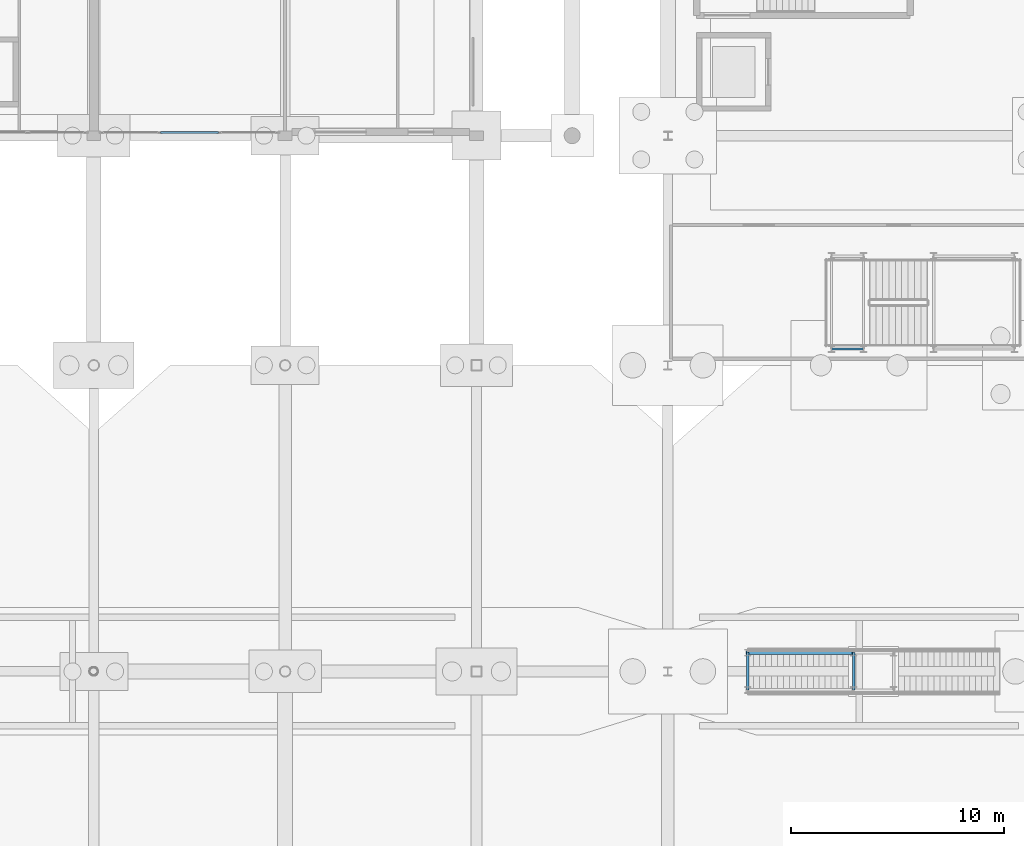
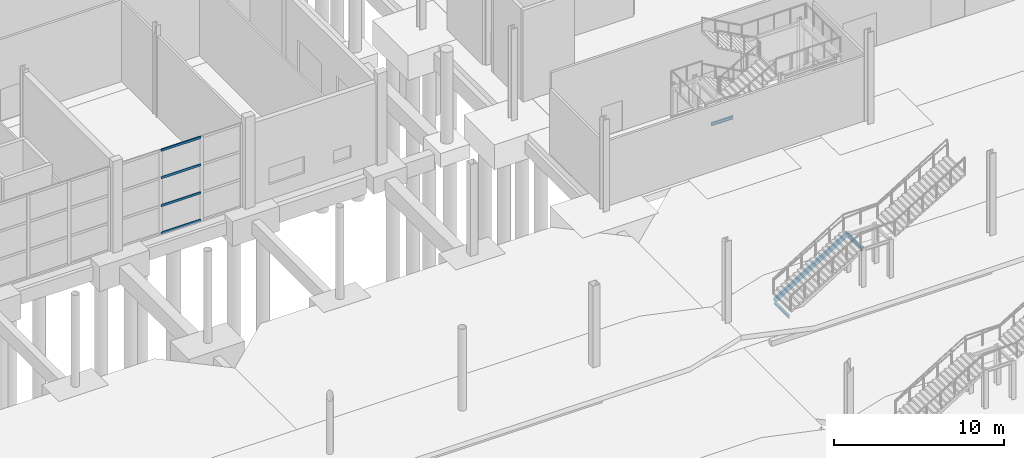
# One storey, part 50 of 115: 5 members, 3 beams, 1 element without a shape of its own.
"""IFC4 building model written with IfcOpenShell, lengths in metres."""

from ifc_helpers import new_model, si_unit, direction, frame, origin, origin_2d, place, context, subcontext, project, spatial, hollow_rectangle, i_section, extrude, material, layer, layer_set, material_profile, profile_set, type_object, element, aggregate, save


model = new_model("IFC4")

# Units and contexts
model_context = context("Model", 3, precision=1e-05, world=origin(), true_north=direction((0.0, 1.0)))
body_context = subcontext(model_context, "Body", "Model", "MODEL_VIEW")
ifc_project = project(units=[si_unit("LENGTHUNIT", "METRE"), si_unit("AREAUNIT", "SQUARE_METRE"), si_unit("VOLUMEUNIT", "CUBIC_METRE"), si_unit("PLANEANGLEUNIT", "RADIAN"), si_unit("MASSUNIT", "GRAM", prefix="KILO")], contexts=[model_context])

# Site, building, storey
site_placement = place(None, origin())
site = spatial("IfcSite", under=ifc_project, at=site_placement, CompositionType="ELEMENT")
building_placement = place(site_placement, origin())
building = spatial("IfcBuilding", under=site, at=building_placement, Name="Tamarisk Ironworks Central Station", CompositionType="ELEMENT")
storey_placement = place(building_placement, origin())
storey = spatial("IfcBuildingStorey", under=building, at=storey_placement, Name="L00", CompositionType="ELEMENT", Elevation=0.0)

# Beams
ifc_material_1 = material(Name="Structural steel S355J2", Category="steel")
ifc_material_profile_1 = material_profile(ifc_material_1, i_section(OverallWidth=0.110107421875, OverallDepth=0.219970703125, WebThickness=0.005859375, FlangeThickness=0.00927734375, at=origin_2d()), Name="IPE 220")
ifc_profile_set_1 = profile_set([ifc_material_profile_1], Name="Structural steel S355J2")
beam_type = type_object("IfcBeamType", Name="BM-J02", PredefinedType="JOIST", material=ifc_profile_set_1)
beam_placement = place(storey_placement, frame((61.699951171875, 79.965087890625, 2.97998046875), z_axis=(1.0, 0.0, 0.0), x_axis=(0.0, 1.0, 0.0)))
element("IfcBeam", 1, at=beam_placement, inside=storey, type_object=beam_type, Name="ST-TH1 landing frame beam Z1-1", PredefinedType="JOIST", context=body_context, shape_type="SweptSolid", body=[
    extrude(i_section(OverallWidth=0.110107421875, OverallDepth=0.219970703125, WebThickness=0.005859375, FlangeThickness=0.00927734375, at=origin_2d()), origin(), (0.0, 0.0, 1.0), 1.5),
])
for number, where, z_axis, x_axis, name in (
    (2, (62.739990234375, 63.919921875, 3.330078125), (0.0, 1.0, 0.0), (-1.0, 0.0, 0.0), "ST-P4A mid-landing tie beam 3"),
    (3, (57.760009765625, 63.919921875, 0.239990234375), (0.0, 1.0, 0.0), (-1.0, 0.0, 0.0), "ST-P4A bottom stringer tie beam"),
):
    element("IfcBeam", number, at=place(storey_placement, frame(where, z_axis=z_axis, x_axis=x_axis)), inside=storey, type_object=beam_type, Name=name, PredefinedType="JOIST", context=body_context, shape_type="SweptSolid", body=[
        extrude(i_section(OverallWidth=0.110107421875, OverallDepth=0.219970703125, WebThickness=0.005859375, FlangeThickness=0.00927734375, at=origin_2d()), origin(), (0.0, 0.0, 1.0), 1.760009765625),
    ])

# Curtain wall, members
ifc_material_2 = material(Name="Anodized aluminium alloy 6063-T6", Category="aluminium")
ifc_layer = layer(ifc_material_2, 0.179931640625)
ifc_layer_set = layer_set([ifc_layer], Name="Anodized aluminium alloy 6063-T6")
curtain_wall_type = type_object("IfcCurtainWallType", Name="CW-09", PredefinedType="USERDEFINED", material=ifc_layer_set)
curtain_wall_placement = place(storey_placement, origin())
curtain_wall = element("IfcCurtainWall", 4, at=curtain_wall_placement, inside=storey, type_object=curtain_wall_type, Name="Pavilion L00 S glazed arcade 27", ObjectType="GLAZED CURTAIN WALL", PredefinedType="USERDEFINED")
ifc_material_profile_2 = material_profile(ifc_material_2, hollow_rectangle(XDim=0.074951171875, YDim=0.159912109375, WallThickness=0.00390625, at=origin_2d()), Name="ALUM 160x75")
ifc_profile_set_2 = profile_set([ifc_material_profile_2], Name="Anodized aluminium alloy 6063-T6")
member_type_1 = type_object("IfcMemberType", Name="CWT-01", PredefinedType="USERDEFINED", material=ifc_profile_set_2)
member_1_placement = place(storey_placement, frame((30.14111328125, 90.14990234375, 0.03759765625), z_axis=(1.0, 0.0, 0.0), x_axis=(0.0, 1.0, 0.0)))
member_1 = element("IfcMember", 5, at=member_1_placement, type_object=member_type_1, Name="CW09 transom 2.1", ObjectType="TRANSOM", PredefinedType="USERDEFINED", context=body_context, shape_type="SweptSolid", body=[
    extrude(hollow_rectangle(XDim=0.074951171875, YDim=0.159912109375, WallThickness=0.00390625, at=origin_2d()), origin(), (0.0, 0.0, 1.0), 2.7177734375),
])
member_2_placement = place(storey_placement, frame((30.14111328125, 90.14990234375, 2.006591796875), z_axis=(1.0, 0.0, 0.0), x_axis=(0.0, 1.0, 0.0)))
member_2 = element("IfcMember", 6, at=member_2_placement, type_object=member_type_1, Name="CW09 transom 2.2", ObjectType="TRANSOM", PredefinedType="USERDEFINED", context=body_context, shape_type="SweptSolid", body=[
    extrude(hollow_rectangle(XDim=0.074951171875, YDim=0.159912109375, WallThickness=0.00390625, at=origin_2d()), origin(), (0.0, 0.0, 1.0), 2.7177734375),
])
member_3_placement = place(storey_placement, frame((30.14111328125, 90.14990234375, 4.01318359375), z_axis=(1.0, 0.0, 0.0), x_axis=(0.0, 1.0, 0.0)))
member_3 = element("IfcMember", 7, at=member_3_placement, type_object=member_type_1, Name="CW09 transom 2.3", ObjectType="TRANSOM", PredefinedType="USERDEFINED", context=body_context, shape_type="SweptSolid", body=[
    extrude(hollow_rectangle(XDim=0.074951171875, YDim=0.159912109375, WallThickness=0.00390625, at=origin_2d()), origin(), (0.0, 0.0, 1.0), 2.7177734375),
])
member_4_placement = place(storey_placement, frame((30.14111328125, 90.14990234375, 5.982421875), z_axis=(1.0, 0.0, 0.0), x_axis=(0.0, 1.0, 0.0)))
member_4 = element("IfcMember", 8, at=member_4_placement, type_object=member_type_1, Name="CW09 transom 2.4", ObjectType="TRANSOM", PredefinedType="USERDEFINED", context=body_context, shape_type="SweptSolid", body=[
    extrude(hollow_rectangle(XDim=0.074951171875, YDim=0.159912109375, WallThickness=0.00390625, at=origin_2d()), origin(), (0.0, 0.0, 1.0), 2.7177734375),
])
aggregate(curtain_wall, [member_1, member_2, member_3, member_4])

# Member
ifc_material_profile_3 = material_profile(ifc_material_1, hollow_rectangle(XDim=0.14990234375, YDim=0.300048828125, WallThickness=0.010009765625, at=origin_2d()), Name="RHS 300x150x10")
ifc_profile_set_3 = profile_set([ifc_material_profile_3], Name="Structural steel S355J2")
member_type_2 = type_object("IfcMemberType", Name="MB-STR01", PredefinedType="STRINGER", material=ifc_profile_set_3)
member_5_placement = place(storey_placement, frame((57.760009765625, 65.679931640625, 0.340087890625), z_axis=(0.848964905475, 0.0, 0.528449230553), x_axis=(0.0, 1.0, 0.0)))
element("IfcMember", 9, at=member_5_placement, inside=storey, type_object=member_type_2, Name="ST-P4A lower flight steel stringer N", PredefinedType="STRINGER", context=body_context, shape_type="SweptSolid", body=[
    extrude(hollow_rectangle(XDim=0.14990234375, YDim=0.300048828125, WallThickness=0.010009765625, at=origin_2d()), origin(), (0.0, 0.0, 1.0), 5.865966796875),
])

save(model, "model.ifc")
